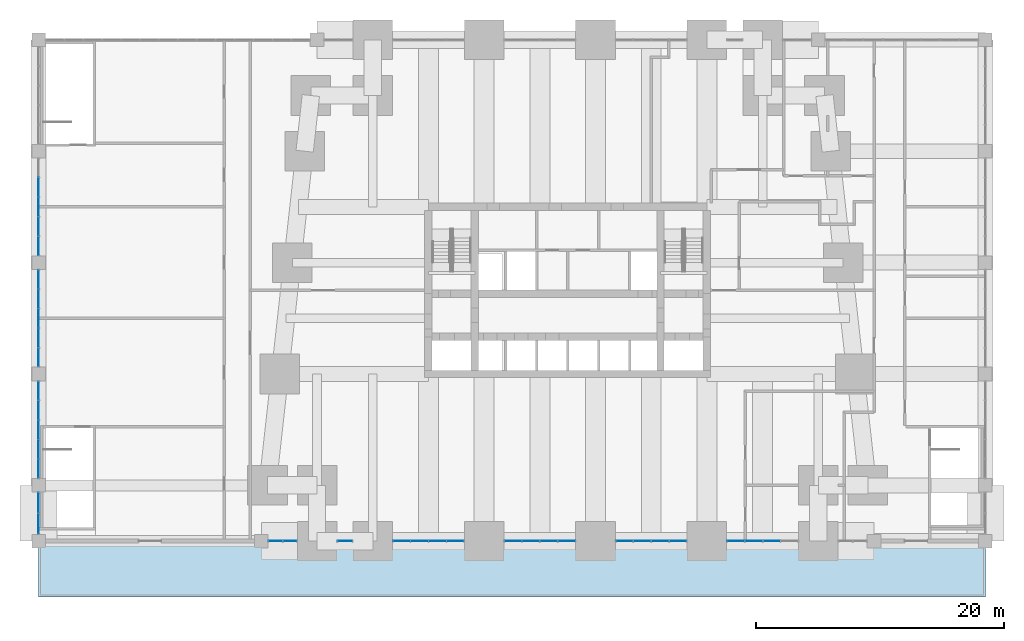
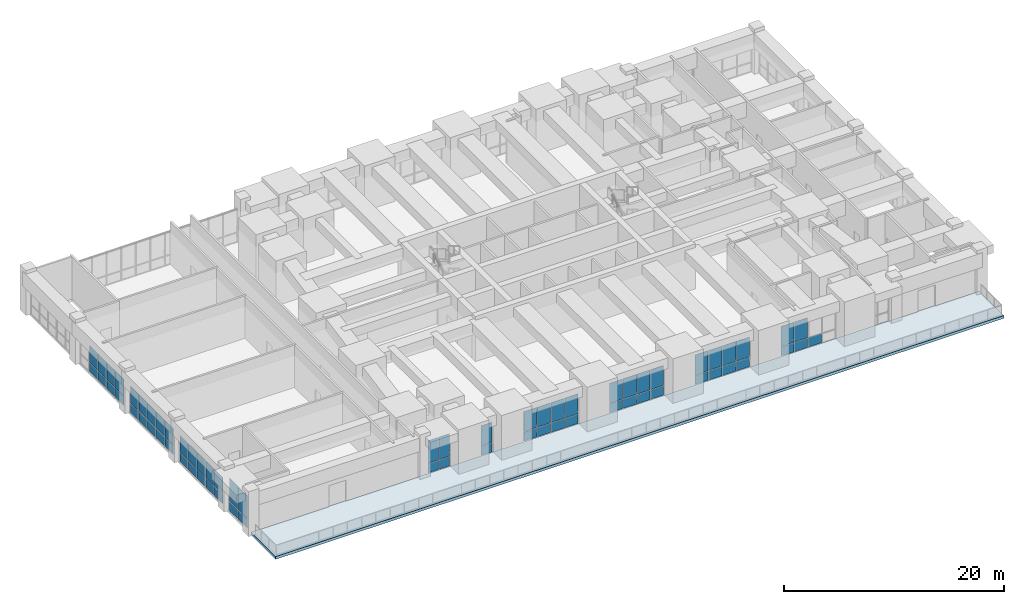
# One storey, part 14 of 22: 67 plates, 1 slab, 10 elements without a shape of their own.
"""IFC4 building model written with IfcOpenShell, lengths in metres."""

from ifc_helpers import new_model, si_unit, direction, frame, origin, origin_2d, place, context, subcontext, project, spatial, polyline, rectangle, outline, extrude, material, layer, layer_set, type_object, element, aggregate, save


model = new_model("IFC4")

# Units and contexts
model_context = context("Model", 3, precision=1e-05, world=origin(), true_north=direction((0.0, 1.0)))
body_context = subcontext(model_context, "Body", "Model", "MODEL_VIEW")
ifc_project = project(units=[si_unit("LENGTHUNIT", "METRE"), si_unit("AREAUNIT", "SQUARE_METRE"), si_unit("VOLUMEUNIT", "CUBIC_METRE"), si_unit("PLANEANGLEUNIT", "RADIAN"), si_unit("MASSUNIT", "GRAM", prefix="KILO")], contexts=[model_context])

# Site, building, storey
site_placement = place(None, origin())
site = spatial("IfcSite", under=ifc_project, at=site_placement, CompositionType="ELEMENT")
building_placement = place(site_placement, origin())
building = spatial("IfcBuilding", under=site, at=building_placement, Name="Kilele Tower Hotel", CompositionType="ELEMENT")
storey_placement = place(building_placement, frame((0.0, 0.0, 19.0)))
storey = spatial("IfcBuildingStorey", under=building, at=storey_placement, Name="L03", CompositionType="ELEMENT", Elevation=19.0)

# Curtain wall, plates
ifc_material_1 = material(Name="Aluminium curtain wall, clear double glazing", Category="aluminium")
curtain_wall_type_1 = type_object("IfcCurtainWallType", Name="Podium curtain wall CW-1", PredefinedType="NOTDEFINED", material=ifc_material_1)
curtain_wall_1_placement = place(storey_placement, origin())
curtain_wall_1 = element("IfcCurtainWall", 1, at=curtain_wall_1_placement, inside=storey, type_object=curtain_wall_type_1, Name="Podium curtain wall CW-1 L03", PredefinedType="NOTDEFINED")
ifc_material_2 = material(Name="Clear double glazing", Category="glass")
ifc_layer_1 = layer(ifc_material_2, 0.028076171875)
ifc_layer_set_1 = layer_set([ifc_layer_1], Name="Clear double glazing")
plate_type_1 = type_object("IfcPlateType", Name="Glazed panel 28 CW-1", PredefinedType="CURTAIN_PANEL", material=ifc_layer_set_1)
plate_1_placement = place(storey_placement, frame((1.152587890625, 0.0, 0.06005859375), z_axis=(0.0, 0.0, 1.0), x_axis=(1.0, 0.0, 0.0)))
plate_1 = element("IfcPlate", 2, at=plate_1_placement, type_object=plate_type_1, Name="CW-1 panel 1.1", PredefinedType="CURTAIN_PANEL", context=body_context, shape_type="SweptSolid", body=[
    extrude(rectangle(XDim=1.0849609375, YDim=0.028076171875, at=origin_2d()), origin(), (0.0, 0.0, 1.0), 1.010009765625),
])
plate_2_placement = place(storey_placement, frame((1.152587890625, 0.0, 1.1298828125), z_axis=(0.0, 0.0, 1.0), x_axis=(1.0, 0.0, 0.0)))
plate_2 = element("IfcPlate", 3, at=plate_2_placement, type_object=plate_type_1, Name="CW-1 panel 1.2", PredefinedType="CURTAIN_PANEL", context=body_context, shape_type="SweptSolid", body=[
    extrude(rectangle(XDim=1.0849609375, YDim=0.028076171875, at=origin_2d()), origin(), (0.0, 0.0, 1.0), 2.510009765625),
])
plate_3_placement = place(storey_placement, frame((2.297607421875, 0.0, 0.06005859375), z_axis=(0.0, 0.0, 1.0), x_axis=(1.0, 0.0, 0.0)))
plate_3 = element("IfcPlate", 4, at=plate_3_placement, type_object=plate_type_1, Name="CW-1 panel 2.1", PredefinedType="CURTAIN_PANEL", context=body_context, shape_type="SweptSolid", body=[
    extrude(rectangle(XDim=1.0849609375, YDim=0.028076171875, at=origin_2d()), origin(), (0.0, 0.0, 1.0), 1.010009765625),
])
plate_4_placement = place(storey_placement, frame((2.297607421875, 0.0, 1.1298828125), z_axis=(0.0, 0.0, 1.0), x_axis=(1.0, 0.0, 0.0)))
plate_4 = element("IfcPlate", 5, at=plate_4_placement, type_object=plate_type_1, Name="CW-1 panel 2.2", PredefinedType="CURTAIN_PANEL", context=body_context, shape_type="SweptSolid", body=[
    extrude(rectangle(XDim=1.0849609375, YDim=0.028076171875, at=origin_2d()), origin(), (0.0, 0.0, 1.0), 2.510009765625),
])
aggregate(curtain_wall_1, [plate_1, plate_2, plate_3, plate_4])

curtain_wall_2_placement = place(storey_placement, origin())
curtain_wall_2 = element("IfcCurtainWall", 6, at=curtain_wall_2_placement, inside=storey, type_object=curtain_wall_type_1, Name="Podium curtain wall CW-1 L03", PredefinedType="NOTDEFINED")
plate_5_placement = place(storey_placement, frame((6.75, 0.0, 0.06005859375), z_axis=(0.0, 0.0, 1.0), x_axis=(1.0, 0.0, 0.0)))
plate_5 = element("IfcPlate", 7, at=plate_5_placement, type_object=plate_type_1, Name="CW-1 panel 1.1", PredefinedType="CURTAIN_PANEL", context=body_context, shape_type="SweptSolid", body=[
    extrude(rectangle(XDim=1.179931640625, YDim=0.028076171875, at=origin_2d()), origin(), (0.0, 0.0, 1.0), 1.010009765625),
])
plate_6_placement = place(storey_placement, frame((6.75, 0.0, 1.130126953125), z_axis=(0.0, 0.0, 1.0), x_axis=(1.0, 0.0, 0.0)))
plate_6 = element("IfcPlate", 8, at=plate_6_placement, type_object=plate_type_1, Name="CW-1 panel 1.2", PredefinedType="CURTAIN_PANEL", context=body_context, shape_type="SweptSolid", body=[
    extrude(rectangle(XDim=1.179931640625, YDim=0.028076171875, at=origin_2d()), origin(), (0.0, 0.0, 1.0), 2.2099609375),
])
aggregate(curtain_wall_2, [plate_5, plate_6])

curtain_wall_3_placement = place(storey_placement, origin())
curtain_wall_3 = element("IfcCurtainWall", 9, at=curtain_wall_3_placement, inside=storey, type_object=curtain_wall_type_1, Name="Podium curtain wall CW-1 L03", PredefinedType="NOTDEFINED")
plate_7_placement = place(storey_placement, frame((11.340087890625, 0.0, 0.06005859375), z_axis=(0.0, 0.0, 1.0), x_axis=(1.0, 0.0, 0.0)))
plate_7 = element("IfcPlate", 10, at=plate_7_placement, type_object=plate_type_1, Name="CW-1 panel 1.1", PredefinedType="CURTAIN_PANEL", context=body_context, shape_type="SweptSolid", body=[
    extrude(rectangle(XDim=1.360107421875, YDim=0.028076171875, at=origin_2d()), origin(), (0.0, 0.0, 1.0), 1.010009765625),
])
plate_8_placement = place(storey_placement, frame((11.340087890625, 0.0, 1.130126953125), z_axis=(0.0, 0.0, 1.0), x_axis=(1.0, 0.0, 0.0)))
plate_8 = element("IfcPlate", 11, at=plate_8_placement, type_object=plate_type_1, Name="CW-1 panel 1.2", PredefinedType="CURTAIN_PANEL", context=body_context, shape_type="SweptSolid", body=[
    extrude(rectangle(XDim=1.360107421875, YDim=0.028076171875, at=origin_2d()), origin(), (0.0, 0.0, 1.0), 2.2099609375),
])
plate_9_placement = place(storey_placement, frame((12.77490234375, 0.0, 0.06005859375), z_axis=(0.0, 0.0, 1.0), x_axis=(1.0, 0.0, 0.0)))
plate_9 = element("IfcPlate", 12, at=plate_9_placement, type_object=plate_type_1, Name="CW-1 panel 2.1", PredefinedType="CURTAIN_PANEL", context=body_context, shape_type="SweptSolid", body=[
    extrude(rectangle(XDim=1.389892578125, YDim=0.028076171875, at=origin_2d()), origin(), (0.0, 0.0, 1.0), 1.010009765625),
])
plate_10_placement = place(storey_placement, frame((12.77490234375, 0.0, 1.130126953125), z_axis=(0.0, 0.0, 1.0), x_axis=(1.0, 0.0, 0.0)))
plate_10 = element("IfcPlate", 13, at=plate_10_placement, type_object=plate_type_1, Name="CW-1 panel 2.2", PredefinedType="CURTAIN_PANEL", context=body_context, shape_type="SweptSolid", body=[
    extrude(rectangle(XDim=1.389892578125, YDim=0.028076171875, at=origin_2d()), origin(), (0.0, 0.0, 1.0), 2.2099609375),
])
plate_11_placement = place(storey_placement, frame((14.22509765625, 0.0, 0.06005859375), z_axis=(0.0, 0.0, 1.0), x_axis=(1.0, 0.0, 0.0)))
plate_11 = element("IfcPlate", 14, at=plate_11_placement, type_object=plate_type_1, Name="CW-1 panel 3.1", PredefinedType="CURTAIN_PANEL", context=body_context, shape_type="SweptSolid", body=[
    extrude(rectangle(XDim=1.389892578125, YDim=0.028076171875, at=origin_2d()), origin(), (0.0, 0.0, 1.0), 1.010009765625),
])
plate_12_placement = place(storey_placement, frame((14.22509765625, 0.0, 1.130126953125), z_axis=(0.0, 0.0, 1.0), x_axis=(1.0, 0.0, 0.0)))
plate_12 = element("IfcPlate", 15, at=plate_12_placement, type_object=plate_type_1, Name="CW-1 panel 3.2", PredefinedType="CURTAIN_PANEL", context=body_context, shape_type="SweptSolid", body=[
    extrude(rectangle(XDim=1.389892578125, YDim=0.028076171875, at=origin_2d()), origin(), (0.0, 0.0, 1.0), 2.2099609375),
])
plate_13_placement = place(storey_placement, frame((15.659912109375, 0.0, 0.06005859375), z_axis=(0.0, 0.0, 1.0), x_axis=(1.0, 0.0, 0.0)))
plate_13 = element("IfcPlate", 16, at=plate_13_placement, type_object=plate_type_1, Name="CW-1 panel 4.1", PredefinedType="CURTAIN_PANEL", context=body_context, shape_type="SweptSolid", body=[
    extrude(rectangle(XDim=1.360107421875, YDim=0.028076171875, at=origin_2d()), origin(), (0.0, 0.0, 1.0), 1.010009765625),
])
plate_14_placement = place(storey_placement, frame((15.659912109375, 0.0, 1.130126953125), z_axis=(0.0, 0.0, 1.0), x_axis=(1.0, 0.0, 0.0)))
plate_14 = element("IfcPlate", 17, at=plate_14_placement, type_object=plate_type_1, Name="CW-1 panel 4.2", PredefinedType="CURTAIN_PANEL", context=body_context, shape_type="SweptSolid", body=[
    extrude(rectangle(XDim=1.360107421875, YDim=0.028076171875, at=origin_2d()), origin(), (0.0, 0.0, 1.0), 2.2099609375),
])
aggregate(curtain_wall_3, [plate_7, plate_8, plate_9, plate_10, plate_11, plate_12, plate_13, plate_14])

curtain_wall_4_placement = place(storey_placement, origin())
curtain_wall_4 = element("IfcCurtainWall", 18, at=curtain_wall_4_placement, inside=storey, type_object=curtain_wall_type_1, Name="Podium curtain wall CW-1 L03", PredefinedType="NOTDEFINED")
plate_15_placement = place(storey_placement, frame((20.340087890625, 0.0, 0.06005859375), z_axis=(0.0, 0.0, 1.0), x_axis=(1.0, 0.0, 0.0)))
plate_15 = element("IfcPlate", 19, at=plate_15_placement, type_object=plate_type_1, Name="CW-1 panel 1.1", PredefinedType="CURTAIN_PANEL", context=body_context, shape_type="SweptSolid", body=[
    extrude(rectangle(XDim=1.360107421875, YDim=0.028076171875, at=origin_2d()), origin(), (0.0, 0.0, 1.0), 1.010009765625),
])
plate_16_placement = place(storey_placement, frame((20.340087890625, 0.0, 1.130126953125), z_axis=(0.0, 0.0, 1.0), x_axis=(1.0, 0.0, 0.0)))
plate_16 = element("IfcPlate", 20, at=plate_16_placement, type_object=plate_type_1, Name="CW-1 panel 1.2", PredefinedType="CURTAIN_PANEL", context=body_context, shape_type="SweptSolid", body=[
    extrude(rectangle(XDim=1.360107421875, YDim=0.028076171875, at=origin_2d()), origin(), (0.0, 0.0, 1.0), 2.2099609375),
])
plate_17_placement = place(storey_placement, frame((21.77490234375, 0.0, 0.06005859375), z_axis=(0.0, 0.0, 1.0), x_axis=(1.0, 0.0, 0.0)))
plate_17 = element("IfcPlate", 21, at=plate_17_placement, type_object=plate_type_1, Name="CW-1 panel 2.1", PredefinedType="CURTAIN_PANEL", context=body_context, shape_type="SweptSolid", body=[
    extrude(rectangle(XDim=1.389892578125, YDim=0.028076171875, at=origin_2d()), origin(), (0.0, 0.0, 1.0), 1.010009765625),
])
plate_18_placement = place(storey_placement, frame((21.77490234375, 0.0, 1.130126953125), z_axis=(0.0, 0.0, 1.0), x_axis=(1.0, 0.0, 0.0)))
plate_18 = element("IfcPlate", 22, at=plate_18_placement, type_object=plate_type_1, Name="CW-1 panel 2.2", PredefinedType="CURTAIN_PANEL", context=body_context, shape_type="SweptSolid", body=[
    extrude(rectangle(XDim=1.389892578125, YDim=0.028076171875, at=origin_2d()), origin(), (0.0, 0.0, 1.0), 2.2099609375),
])
plate_19_placement = place(storey_placement, frame((23.22509765625, 0.0, 0.06005859375), z_axis=(0.0, 0.0, 1.0), x_axis=(1.0, 0.0, 0.0)))
plate_19 = element("IfcPlate", 23, at=plate_19_placement, type_object=plate_type_1, Name="CW-1 panel 3.1", PredefinedType="CURTAIN_PANEL", context=body_context, shape_type="SweptSolid", body=[
    extrude(rectangle(XDim=1.389892578125, YDim=0.028076171875, at=origin_2d()), origin(), (0.0, 0.0, 1.0), 1.010009765625),
])
plate_20_placement = place(storey_placement, frame((23.22509765625, 0.0, 1.130126953125), z_axis=(0.0, 0.0, 1.0), x_axis=(1.0, 0.0, 0.0)))
plate_20 = element("IfcPlate", 24, at=plate_20_placement, type_object=plate_type_1, Name="CW-1 panel 3.2", PredefinedType="CURTAIN_PANEL", context=body_context, shape_type="SweptSolid", body=[
    extrude(rectangle(XDim=1.389892578125, YDim=0.028076171875, at=origin_2d()), origin(), (0.0, 0.0, 1.0), 2.2099609375),
])
plate_21_placement = place(storey_placement, frame((24.659912109375, 0.0, 0.06005859375), z_axis=(0.0, 0.0, 1.0), x_axis=(1.0, 0.0, 0.0)))
plate_21 = element("IfcPlate", 25, at=plate_21_placement, type_object=plate_type_1, Name="CW-1 panel 4.1", PredefinedType="CURTAIN_PANEL", context=body_context, shape_type="SweptSolid", body=[
    extrude(rectangle(XDim=1.360107421875, YDim=0.028076171875, at=origin_2d()), origin(), (0.0, 0.0, 1.0), 1.010009765625),
])
plate_22_placement = place(storey_placement, frame((24.659912109375, 0.0, 1.130126953125), z_axis=(0.0, 0.0, 1.0), x_axis=(1.0, 0.0, 0.0)))
plate_22 = element("IfcPlate", 26, at=plate_22_placement, type_object=plate_type_1, Name="CW-1 panel 4.2", PredefinedType="CURTAIN_PANEL", context=body_context, shape_type="SweptSolid", body=[
    extrude(rectangle(XDim=1.360107421875, YDim=0.028076171875, at=origin_2d()), origin(), (0.0, 0.0, 1.0), 2.2099609375),
])
aggregate(curtain_wall_4, [plate_15, plate_16, plate_17, plate_18, plate_19, plate_20, plate_21, plate_22])

curtain_wall_5_placement = place(storey_placement, origin())
curtain_wall_5 = element("IfcCurtainWall", 27, at=curtain_wall_5_placement, inside=storey, type_object=curtain_wall_type_1, Name="Podium curtain wall CW-1 L03", PredefinedType="NOTDEFINED")
plate_23_placement = place(storey_placement, frame((29.340087890625, 0.0, 0.06005859375), z_axis=(0.0, 0.0, 1.0), x_axis=(1.0, 0.0, 0.0)))
plate_23 = element("IfcPlate", 28, at=plate_23_placement, type_object=plate_type_1, Name="CW-1 panel 1.1", PredefinedType="CURTAIN_PANEL", context=body_context, shape_type="SweptSolid", body=[
    extrude(rectangle(XDim=1.360107421875, YDim=0.028076171875, at=origin_2d()), origin(), (0.0, 0.0, 1.0), 1.010009765625),
])
plate_24_placement = place(storey_placement, frame((29.340087890625, 0.0, 1.130126953125), z_axis=(0.0, 0.0, 1.0), x_axis=(1.0, 0.0, 0.0)))
plate_24 = element("IfcPlate", 29, at=plate_24_placement, type_object=plate_type_1, Name="CW-1 panel 1.2", PredefinedType="CURTAIN_PANEL", context=body_context, shape_type="SweptSolid", body=[
    extrude(rectangle(XDim=1.360107421875, YDim=0.028076171875, at=origin_2d()), origin(), (0.0, 0.0, 1.0), 2.2099609375),
])
plate_25_placement = place(storey_placement, frame((30.77490234375, 0.0, 0.06005859375), z_axis=(0.0, 0.0, 1.0), x_axis=(1.0, 0.0, 0.0)))
plate_25 = element("IfcPlate", 30, at=plate_25_placement, type_object=plate_type_1, Name="CW-1 panel 2.1", PredefinedType="CURTAIN_PANEL", context=body_context, shape_type="SweptSolid", body=[
    extrude(rectangle(XDim=1.389892578125, YDim=0.028076171875, at=origin_2d()), origin(), (0.0, 0.0, 1.0), 1.010009765625),
])
plate_26_placement = place(storey_placement, frame((30.77490234375, 0.0, 1.130126953125), z_axis=(0.0, 0.0, 1.0), x_axis=(1.0, 0.0, 0.0)))
plate_26 = element("IfcPlate", 31, at=plate_26_placement, type_object=plate_type_1, Name="CW-1 panel 2.2", PredefinedType="CURTAIN_PANEL", context=body_context, shape_type="SweptSolid", body=[
    extrude(rectangle(XDim=1.389892578125, YDim=0.028076171875, at=origin_2d()), origin(), (0.0, 0.0, 1.0), 2.2099609375),
])
plate_27_placement = place(storey_placement, frame((32.22509765625, 0.0, 0.06005859375), z_axis=(0.0, 0.0, 1.0), x_axis=(1.0, 0.0, 0.0)))
plate_27 = element("IfcPlate", 32, at=plate_27_placement, type_object=plate_type_1, Name="CW-1 panel 3.1", PredefinedType="CURTAIN_PANEL", context=body_context, shape_type="SweptSolid", body=[
    extrude(rectangle(XDim=1.389892578125, YDim=0.028076171875, at=origin_2d()), origin(), (0.0, 0.0, 1.0), 1.010009765625),
])
plate_28_placement = place(storey_placement, frame((32.22509765625, 0.0, 1.130126953125), z_axis=(0.0, 0.0, 1.0), x_axis=(1.0, 0.0, 0.0)))
plate_28 = element("IfcPlate", 33, at=plate_28_placement, type_object=plate_type_1, Name="CW-1 panel 3.2", PredefinedType="CURTAIN_PANEL", context=body_context, shape_type="SweptSolid", body=[
    extrude(rectangle(XDim=1.389892578125, YDim=0.028076171875, at=origin_2d()), origin(), (0.0, 0.0, 1.0), 2.2099609375),
])
plate_29_placement = place(storey_placement, frame((33.659912109375, 0.0, 0.06005859375), z_axis=(0.0, 0.0, 1.0), x_axis=(1.0, 0.0, 0.0)))
plate_29 = element("IfcPlate", 34, at=plate_29_placement, type_object=plate_type_1, Name="CW-1 panel 4.1", PredefinedType="CURTAIN_PANEL", context=body_context, shape_type="SweptSolid", body=[
    extrude(rectangle(XDim=1.360107421875, YDim=0.028076171875, at=origin_2d()), origin(), (0.0, 0.0, 1.0), 1.010009765625),
])
plate_30_placement = place(storey_placement, frame((33.659912109375, 0.0, 1.130126953125), z_axis=(0.0, 0.0, 1.0), x_axis=(1.0, 0.0, 0.0)))
plate_30 = element("IfcPlate", 35, at=plate_30_placement, type_object=plate_type_1, Name="CW-1 panel 4.2", PredefinedType="CURTAIN_PANEL", context=body_context, shape_type="SweptSolid", body=[
    extrude(rectangle(XDim=1.360107421875, YDim=0.028076171875, at=origin_2d()), origin(), (0.0, 0.0, 1.0), 2.2099609375),
])
aggregate(curtain_wall_5, [plate_23, plate_24, plate_25, plate_26, plate_27, plate_28, plate_29, plate_30])

curtain_wall_6_placement = place(storey_placement, origin())
curtain_wall_6 = element("IfcCurtainWall", 36, at=curtain_wall_6_placement, inside=storey, type_object=curtain_wall_type_1, Name="Podium curtain wall CW-1 L03", PredefinedType="NOTDEFINED")
plate_31_placement = place(storey_placement, frame((38.340087890625, 0.0, 0.06005859375), z_axis=(0.0, 0.0, 1.0), x_axis=(1.0, 0.0, 0.0)))
plate_31 = element("IfcPlate", 37, at=plate_31_placement, type_object=plate_type_1, Name="CW-1 panel 1.1", PredefinedType="CURTAIN_PANEL", context=body_context, shape_type="SweptSolid", body=[
    extrude(rectangle(XDim=1.360107421875, YDim=0.028076171875, at=origin_2d()), origin(), (0.0, 0.0, 1.0), 1.010009765625),
])
plate_32_placement = place(storey_placement, frame((38.340087890625, 0.0, 1.130126953125), z_axis=(0.0, 0.0, 1.0), x_axis=(1.0, 0.0, 0.0)))
plate_32 = element("IfcPlate", 38, at=plate_32_placement, type_object=plate_type_1, Name="CW-1 panel 1.2", PredefinedType="CURTAIN_PANEL", context=body_context, shape_type="SweptSolid", body=[
    extrude(rectangle(XDim=1.360107421875, YDim=0.028076171875, at=origin_2d()), origin(), (0.0, 0.0, 1.0), 2.2099609375),
])
plate_33_placement = place(storey_placement, frame((39.77490234375, 0.0, 0.06005859375), z_axis=(0.0, 0.0, 1.0), x_axis=(1.0, 0.0, 0.0)))
plate_33 = element("IfcPlate", 39, at=plate_33_placement, type_object=plate_type_1, Name="CW-1 panel 2.1", PredefinedType="CURTAIN_PANEL", context=body_context, shape_type="SweptSolid", body=[
    extrude(rectangle(XDim=1.389892578125, YDim=0.028076171875, at=origin_2d()), origin(), (0.0, 0.0, 1.0), 1.010009765625),
])
plate_34_placement = place(storey_placement, frame((39.77490234375, 0.0, 1.130126953125), z_axis=(0.0, 0.0, 1.0), x_axis=(1.0, 0.0, 0.0)))
plate_34 = element("IfcPlate", 40, at=plate_34_placement, type_object=plate_type_1, Name="CW-1 panel 2.2", PredefinedType="CURTAIN_PANEL", context=body_context, shape_type="SweptSolid", body=[
    extrude(rectangle(XDim=1.389892578125, YDim=0.028076171875, at=origin_2d()), origin(), (0.0, 0.0, 1.0), 2.2099609375),
])
plate_35_placement = place(storey_placement, frame((41.22509765625, 0.0, 0.06005859375), z_axis=(0.0, 0.0, 1.0), x_axis=(1.0, 0.0, 0.0)))
plate_35 = element("IfcPlate", 41, at=plate_35_placement, type_object=plate_type_1, Name="CW-1 panel 3.1", PredefinedType="CURTAIN_PANEL", context=body_context, shape_type="SweptSolid", body=[
    extrude(rectangle(XDim=1.389892578125, YDim=0.028076171875, at=origin_2d()), origin(), (0.0, 0.0, 1.0), 1.010009765625),
])
aggregate(curtain_wall_6, [plate_31, plate_32, plate_33, plate_34, plate_35])

ifc_material_3 = material(Name="Aluminium curtain wall, clear double glazing", Category="aluminium")
curtain_wall_type_2 = type_object("IfcCurtainWallType", Name="Podium side curtain wall CW-2", PredefinedType="NOTDEFINED", material=ifc_material_3)
curtain_wall_7_placement = place(storey_placement, origin())
curtain_wall_7 = element("IfcCurtainWall", 42, at=curtain_wall_7_placement, inside=storey, type_object=curtain_wall_type_2, Name="Podium side curtain wall CW-2 L03", PredefinedType="NOTDEFINED")
ifc_material_4 = material(Name="Clear double glazing", Category="glass")
ifc_layer_2 = layer(ifc_material_4, 0.028076171875)
ifc_layer_set_2 = layer_set([ifc_layer_2], Name="Clear double glazing")
plate_type_2 = type_object("IfcPlateType", Name="Glazed panel 28 CW-2", PredefinedType="CURTAIN_PANEL", material=ifc_layer_set_2)
plate_36_placement = place(storey_placement, frame((-18.0, 28.580078125, 0.06005859375), z_axis=(0.0, 0.0, 1.0), x_axis=(0.0, -1.0, 0.0)))
plate_36 = element("IfcPlate", 43, at=plate_36_placement, type_object=plate_type_2, Name="CW-2 panel 2.1", PredefinedType="CURTAIN_PANEL", context=body_context, shape_type="SweptSolid", body=[
    extrude(rectangle(XDim=1.52001953125, YDim=0.028076171875, at=origin_2d()), origin(), (0.0, 0.0, 1.0), 1.010009765625),
])
plate_37_placement = place(storey_placement, frame((-18.0, 28.580078125, 1.1298828125), z_axis=(0.0, 0.0, 1.0), x_axis=(0.0, -1.0, 0.0)))
plate_37 = element("IfcPlate", 44, at=plate_37_placement, type_object=plate_type_2, Name="CW-2 panel 2.2", PredefinedType="CURTAIN_PANEL", context=body_context, shape_type="SweptSolid", body=[
    extrude(rectangle(XDim=1.52001953125, YDim=0.028076171875, at=origin_2d()), origin(), (0.0, 0.0, 1.0), 1.81005859375),
])
plate_38_placement = place(storey_placement, frame((-18.0, 27.0, 0.06005859375), z_axis=(0.0, 0.0, 1.0), x_axis=(0.0, -1.0, 0.0)))
plate_38 = element("IfcPlate", 45, at=plate_38_placement, type_object=plate_type_2, Name="CW-2 panel 3.1", PredefinedType="CURTAIN_PANEL", context=body_context, shape_type="SweptSolid", body=[
    extrude(rectangle(XDim=1.52001953125, YDim=0.028076171875, at=origin_2d()), origin(), (0.0, 0.0, 1.0), 1.010009765625),
])
plate_39_placement = place(storey_placement, frame((-18.0, 27.0, 1.1298828125), z_axis=(0.0, 0.0, 1.0), x_axis=(0.0, -1.0, 0.0)))
plate_39 = element("IfcPlate", 46, at=plate_39_placement, type_object=plate_type_2, Name="CW-2 panel 3.2", PredefinedType="CURTAIN_PANEL", context=body_context, shape_type="SweptSolid", body=[
    extrude(rectangle(XDim=1.52001953125, YDim=0.028076171875, at=origin_2d()), origin(), (0.0, 0.0, 1.0), 1.81005859375),
])
plate_40_placement = place(storey_placement, frame((-18.0, 25.419921875, 0.06005859375), z_axis=(0.0, 0.0, 1.0), x_axis=(0.0, -1.0, 0.0)))
plate_40 = element("IfcPlate", 47, at=plate_40_placement, type_object=plate_type_2, Name="CW-2 panel 4.1", PredefinedType="CURTAIN_PANEL", context=body_context, shape_type="SweptSolid", body=[
    extrude(rectangle(XDim=1.52001953125, YDim=0.028076171875, at=origin_2d()), origin(), (0.0, 0.0, 1.0), 1.010009765625),
])
plate_41_placement = place(storey_placement, frame((-18.0, 25.419921875, 1.1298828125), z_axis=(0.0, 0.0, 1.0), x_axis=(0.0, -1.0, 0.0)))
plate_41 = element("IfcPlate", 48, at=plate_41_placement, type_object=plate_type_2, Name="CW-2 panel 4.2", PredefinedType="CURTAIN_PANEL", context=body_context, shape_type="SweptSolid", body=[
    extrude(rectangle(XDim=1.52001953125, YDim=0.028076171875, at=origin_2d()), origin(), (0.0, 0.0, 1.0), 1.81005859375),
])
plate_42_placement = place(storey_placement, frame((-18.0, 23.85498046875, 0.06005859375), z_axis=(0.0, 0.0, 1.0), x_axis=(0.0, -1.0, 0.0)))
plate_42 = element("IfcPlate", 49, at=plate_42_placement, type_object=plate_type_2, Name="CW-2 panel 5.1", PredefinedType="CURTAIN_PANEL", context=body_context, shape_type="SweptSolid", body=[
    extrude(rectangle(XDim=1.489990234375, YDim=0.028076171875, at=origin_2d()), origin(), (0.0, 0.0, 1.0), 1.010009765625),
])
plate_43_placement = place(storey_placement, frame((-18.0, 23.85498046875, 1.1298828125), z_axis=(0.0, 0.0, 1.0), x_axis=(0.0, -1.0, 0.0)))
plate_43 = element("IfcPlate", 50, at=plate_43_placement, type_object=plate_type_2, Name="CW-2 panel 5.2", PredefinedType="CURTAIN_PANEL", context=body_context, shape_type="SweptSolid", body=[
    extrude(rectangle(XDim=1.489990234375, YDim=0.028076171875, at=origin_2d()), origin(), (0.0, 0.0, 1.0), 1.81005859375),
])
aggregate(curtain_wall_7, [plate_36, plate_37, plate_38, plate_39, plate_40, plate_41, plate_42, plate_43])

curtain_wall_8_placement = place(storey_placement, origin())
curtain_wall_8 = element("IfcCurtainWall", 51, at=curtain_wall_8_placement, inside=storey, type_object=curtain_wall_type_2, Name="Podium side curtain wall CW-2 L03", PredefinedType="NOTDEFINED")
plate_44_placement = place(storey_placement, frame((-18.0, 21.14501953125, 0.06005859375), z_axis=(0.0, 0.0, 1.0), x_axis=(0.0, -1.0, 0.0)))
plate_44 = element("IfcPlate", 52, at=plate_44_placement, type_object=plate_type_2, Name="CW-2 panel 1.1", PredefinedType="CURTAIN_PANEL", context=body_context, shape_type="SweptSolid", body=[
    extrude(rectangle(XDim=1.489990234375, YDim=0.028076171875, at=origin_2d()), origin(), (0.0, 0.0, 1.0), 1.010009765625),
])
plate_45_placement = place(storey_placement, frame((-18.0, 21.14501953125, 1.1298828125), z_axis=(0.0, 0.0, 1.0), x_axis=(0.0, -1.0, 0.0)))
plate_45 = element("IfcPlate", 53, at=plate_45_placement, type_object=plate_type_2, Name="CW-2 panel 1.2", PredefinedType="CURTAIN_PANEL", context=body_context, shape_type="SweptSolid", body=[
    extrude(rectangle(XDim=1.489990234375, YDim=0.028076171875, at=origin_2d()), origin(), (0.0, 0.0, 1.0), 1.81005859375),
])
plate_46_placement = place(storey_placement, frame((-18.0, 19.580078125, 0.06005859375), z_axis=(0.0, 0.0, 1.0), x_axis=(0.0, -1.0, 0.0)))
plate_46 = element("IfcPlate", 54, at=plate_46_placement, type_object=plate_type_2, Name="CW-2 panel 2.1", PredefinedType="CURTAIN_PANEL", context=body_context, shape_type="SweptSolid", body=[
    extrude(rectangle(XDim=1.52001953125, YDim=0.028076171875, at=origin_2d()), origin(), (0.0, 0.0, 1.0), 1.010009765625),
])
plate_47_placement = place(storey_placement, frame((-18.0, 19.580078125, 1.1298828125), z_axis=(0.0, 0.0, 1.0), x_axis=(0.0, -1.0, 0.0)))
plate_47 = element("IfcPlate", 55, at=plate_47_placement, type_object=plate_type_2, Name="CW-2 panel 2.2", PredefinedType="CURTAIN_PANEL", context=body_context, shape_type="SweptSolid", body=[
    extrude(rectangle(XDim=1.52001953125, YDim=0.028076171875, at=origin_2d()), origin(), (0.0, 0.0, 1.0), 1.81005859375),
])
plate_48_placement = place(storey_placement, frame((-18.0, 18.0, 0.06005859375), z_axis=(0.0, 0.0, 1.0), x_axis=(0.0, -1.0, 0.0)))
plate_48 = element("IfcPlate", 56, at=plate_48_placement, type_object=plate_type_2, Name="CW-2 panel 3.1", PredefinedType="CURTAIN_PANEL", context=body_context, shape_type="SweptSolid", body=[
    extrude(rectangle(XDim=1.52001953125, YDim=0.028076171875, at=origin_2d()), origin(), (0.0, 0.0, 1.0), 1.010009765625),
])
plate_49_placement = place(storey_placement, frame((-18.0, 18.0, 1.1298828125), z_axis=(0.0, 0.0, 1.0), x_axis=(0.0, -1.0, 0.0)))
plate_49 = element("IfcPlate", 57, at=plate_49_placement, type_object=plate_type_2, Name="CW-2 panel 3.2", PredefinedType="CURTAIN_PANEL", context=body_context, shape_type="SweptSolid", body=[
    extrude(rectangle(XDim=1.52001953125, YDim=0.028076171875, at=origin_2d()), origin(), (0.0, 0.0, 1.0), 1.81005859375),
])
plate_50_placement = place(storey_placement, frame((-18.0, 16.419921875, 0.06005859375), z_axis=(0.0, 0.0, 1.0), x_axis=(0.0, -1.0, 0.0)))
plate_50 = element("IfcPlate", 58, at=plate_50_placement, type_object=plate_type_2, Name="CW-2 panel 4.1", PredefinedType="CURTAIN_PANEL", context=body_context, shape_type="SweptSolid", body=[
    extrude(rectangle(XDim=1.52001953125, YDim=0.028076171875, at=origin_2d()), origin(), (0.0, 0.0, 1.0), 1.010009765625),
])
plate_51_placement = place(storey_placement, frame((-18.0, 16.419921875, 1.1298828125), z_axis=(0.0, 0.0, 1.0), x_axis=(0.0, -1.0, 0.0)))
plate_51 = element("IfcPlate", 59, at=plate_51_placement, type_object=plate_type_2, Name="CW-2 panel 4.2", PredefinedType="CURTAIN_PANEL", context=body_context, shape_type="SweptSolid", body=[
    extrude(rectangle(XDim=1.52001953125, YDim=0.028076171875, at=origin_2d()), origin(), (0.0, 0.0, 1.0), 1.81005859375),
])
plate_52_placement = place(storey_placement, frame((-18.0, 14.85498046875, 0.06005859375), z_axis=(0.0, 0.0, 1.0), x_axis=(0.0, -1.0, 0.0)))
plate_52 = element("IfcPlate", 60, at=plate_52_placement, type_object=plate_type_2, Name="CW-2 panel 5.1", PredefinedType="CURTAIN_PANEL", context=body_context, shape_type="SweptSolid", body=[
    extrude(rectangle(XDim=1.489990234375, YDim=0.028076171875, at=origin_2d()), origin(), (0.0, 0.0, 1.0), 1.010009765625),
])
plate_53_placement = place(storey_placement, frame((-18.0, 14.85498046875, 1.1298828125), z_axis=(0.0, 0.0, 1.0), x_axis=(0.0, -1.0, 0.0)))
plate_53 = element("IfcPlate", 61, at=plate_53_placement, type_object=plate_type_2, Name="CW-2 panel 5.2", PredefinedType="CURTAIN_PANEL", context=body_context, shape_type="SweptSolid", body=[
    extrude(rectangle(XDim=1.489990234375, YDim=0.028076171875, at=origin_2d()), origin(), (0.0, 0.0, 1.0), 1.81005859375),
])
aggregate(curtain_wall_8, [plate_44, plate_45, plate_46, plate_47, plate_48, plate_49, plate_50, plate_51, plate_52, plate_53])

curtain_wall_9_placement = place(storey_placement, origin())
curtain_wall_9 = element("IfcCurtainWall", 62, at=curtain_wall_9_placement, inside=storey, type_object=curtain_wall_type_2, Name="Podium side curtain wall CW-2 L03", PredefinedType="NOTDEFINED")
plate_54_placement = place(storey_placement, frame((-18.0, 12.14501953125, 0.06005859375), z_axis=(0.0, 0.0, 1.0), x_axis=(0.0, -1.0, 0.0)))
plate_54 = element("IfcPlate", 63, at=plate_54_placement, type_object=plate_type_2, Name="CW-2 panel 1.1", PredefinedType="CURTAIN_PANEL", context=body_context, shape_type="SweptSolid", body=[
    extrude(rectangle(XDim=1.489990234375, YDim=0.028076171875, at=origin_2d()), origin(), (0.0, 0.0, 1.0), 1.010009765625),
])
plate_55_placement = place(storey_placement, frame((-18.0, 12.14501953125, 1.1298828125), z_axis=(0.0, 0.0, 1.0), x_axis=(0.0, -1.0, 0.0)))
plate_55 = element("IfcPlate", 64, at=plate_55_placement, type_object=plate_type_2, Name="CW-2 panel 1.2", PredefinedType="CURTAIN_PANEL", context=body_context, shape_type="SweptSolid", body=[
    extrude(rectangle(XDim=1.489990234375, YDim=0.028076171875, at=origin_2d()), origin(), (0.0, 0.0, 1.0), 1.81005859375),
])
plate_56_placement = place(storey_placement, frame((-18.0, 10.580078125, 0.06005859375), z_axis=(0.0, 0.0, 1.0), x_axis=(0.0, -1.0, 0.0)))
plate_56 = element("IfcPlate", 65, at=plate_56_placement, type_object=plate_type_2, Name="CW-2 panel 2.1", PredefinedType="CURTAIN_PANEL", context=body_context, shape_type="SweptSolid", body=[
    extrude(rectangle(XDim=1.52001953125, YDim=0.028076171875, at=origin_2d()), origin(), (0.0, 0.0, 1.0), 1.010009765625),
])
plate_57_placement = place(storey_placement, frame((-18.0, 10.580078125, 1.1298828125), z_axis=(0.0, 0.0, 1.0), x_axis=(0.0, -1.0, 0.0)))
plate_57 = element("IfcPlate", 66, at=plate_57_placement, type_object=plate_type_2, Name="CW-2 panel 2.2", PredefinedType="CURTAIN_PANEL", context=body_context, shape_type="SweptSolid", body=[
    extrude(rectangle(XDim=1.52001953125, YDim=0.028076171875, at=origin_2d()), origin(), (0.0, 0.0, 1.0), 1.81005859375),
])
plate_58_placement = place(storey_placement, frame((-18.0, 9.0, 0.06005859375), z_axis=(0.0, 0.0, 1.0), x_axis=(0.0, -1.0, 0.0)))
plate_58 = element("IfcPlate", 67, at=plate_58_placement, type_object=plate_type_2, Name="CW-2 panel 3.1", PredefinedType="CURTAIN_PANEL", context=body_context, shape_type="SweptSolid", body=[
    extrude(rectangle(XDim=1.52001953125, YDim=0.028076171875, at=origin_2d()), origin(), (0.0, 0.0, 1.0), 1.010009765625),
])
plate_59_placement = place(storey_placement, frame((-18.0, 9.0, 1.1298828125), z_axis=(0.0, 0.0, 1.0), x_axis=(0.0, -1.0, 0.0)))
plate_59 = element("IfcPlate", 68, at=plate_59_placement, type_object=plate_type_2, Name="CW-2 panel 3.2", PredefinedType="CURTAIN_PANEL", context=body_context, shape_type="SweptSolid", body=[
    extrude(rectangle(XDim=1.52001953125, YDim=0.028076171875, at=origin_2d()), origin(), (0.0, 0.0, 1.0), 1.81005859375),
])
plate_60_placement = place(storey_placement, frame((-18.0, 7.419921875, 0.06005859375), z_axis=(0.0, 0.0, 1.0), x_axis=(0.0, -1.0, 0.0)))
plate_60 = element("IfcPlate", 69, at=plate_60_placement, type_object=plate_type_2, Name="CW-2 panel 4.1", PredefinedType="CURTAIN_PANEL", context=body_context, shape_type="SweptSolid", body=[
    extrude(rectangle(XDim=1.52001953125, YDim=0.028076171875, at=origin_2d()), origin(), (0.0, 0.0, 1.0), 1.010009765625),
])
plate_61_placement = place(storey_placement, frame((-18.0, 7.419921875, 1.1298828125), z_axis=(0.0, 0.0, 1.0), x_axis=(0.0, -1.0, 0.0)))
plate_61 = element("IfcPlate", 70, at=plate_61_placement, type_object=plate_type_2, Name="CW-2 panel 4.2", PredefinedType="CURTAIN_PANEL", context=body_context, shape_type="SweptSolid", body=[
    extrude(rectangle(XDim=1.52001953125, YDim=0.028076171875, at=origin_2d()), origin(), (0.0, 0.0, 1.0), 1.81005859375),
])
plate_62_placement = place(storey_placement, frame((-18.0, 5.85498046875, 0.06005859375), z_axis=(0.0, 0.0, 1.0), x_axis=(0.0, -1.0, 0.0)))
plate_62 = element("IfcPlate", 71, at=plate_62_placement, type_object=plate_type_2, Name="CW-2 panel 5.1", PredefinedType="CURTAIN_PANEL", context=body_context, shape_type="SweptSolid", body=[
    extrude(rectangle(XDim=1.489990234375, YDim=0.028076171875, at=origin_2d()), origin(), (0.0, 0.0, 1.0), 1.010009765625),
])
plate_63_placement = place(storey_placement, frame((-18.0, 5.85498046875, 1.1298828125), z_axis=(0.0, 0.0, 1.0), x_axis=(0.0, -1.0, 0.0)))
plate_63 = element("IfcPlate", 72, at=plate_63_placement, type_object=plate_type_2, Name="CW-2 panel 5.2", PredefinedType="CURTAIN_PANEL", context=body_context, shape_type="SweptSolid", body=[
    extrude(rectangle(XDim=1.489990234375, YDim=0.028076171875, at=origin_2d()), origin(), (0.0, 0.0, 1.0), 1.81005859375),
])
aggregate(curtain_wall_9, [plate_54, plate_55, plate_56, plate_57, plate_58, plate_59, plate_60, plate_61, plate_62, plate_63])

curtain_wall_10_placement = place(storey_placement, origin())
curtain_wall_10 = element("IfcCurtainWall", 73, at=curtain_wall_10_placement, inside=storey, type_object=curtain_wall_type_2, Name="Podium side curtain wall CW-2 L03", PredefinedType="NOTDEFINED")
plate_64_placement = place(storey_placement, frame((-18.0, 3.0849609375, 0.06005859375), z_axis=(0.0, 0.0, 1.0), x_axis=(0.0, -1.0, 0.0)))
plate_64 = element("IfcPlate", 74, at=plate_64_placement, type_object=plate_type_2, Name="CW-2 panel 1.1", PredefinedType="CURTAIN_PANEL", context=body_context, shape_type="SweptSolid", body=[
    extrude(rectangle(XDim=1.610107421875, YDim=0.028076171875, at=origin_2d()), origin(), (0.0, 0.0, 1.0), 1.010009765625),
])
plate_65_placement = place(storey_placement, frame((-18.0, 3.0849609375, 1.1298828125), z_axis=(0.0, 0.0, 1.0), x_axis=(0.0, -1.0, 0.0)))
plate_65 = element("IfcPlate", 75, at=plate_65_placement, type_object=plate_type_2, Name="CW-2 panel 1.2", PredefinedType="CURTAIN_PANEL", context=body_context, shape_type="SweptSolid", body=[
    extrude(rectangle(XDim=1.610107421875, YDim=0.028076171875, at=origin_2d()), origin(), (0.0, 0.0, 1.0), 2.510009765625),
])
plate_66_placement = place(storey_placement, frame((-18.0, 1.4150390625, 0.06005859375), z_axis=(0.0, 0.0, 1.0), x_axis=(0.0, -1.0, 0.0)))
plate_66 = element("IfcPlate", 76, at=plate_66_placement, type_object=plate_type_2, Name="CW-2 panel 2.1", PredefinedType="CURTAIN_PANEL", context=body_context, shape_type="SweptSolid", body=[
    extrude(rectangle(XDim=1.610107421875, YDim=0.028076171875, at=origin_2d()), origin(), (0.0, 0.0, 1.0), 1.010009765625),
])
plate_67_placement = place(storey_placement, frame((-18.0, 1.4150390625, 1.1298828125), z_axis=(0.0, 0.0, 1.0), x_axis=(0.0, -1.0, 0.0)))
plate_67 = element("IfcPlate", 77, at=plate_67_placement, type_object=plate_type_2, Name="CW-2 panel 2.2", PredefinedType="CURTAIN_PANEL", context=body_context, shape_type="SweptSolid", body=[
    extrude(rectangle(XDim=1.610107421875, YDim=0.028076171875, at=origin_2d()), origin(), (0.0, 0.0, 1.0), 2.510009765625),
])
aggregate(curtain_wall_10, [plate_64, plate_65, plate_66, plate_67])

# Slab
ifc_material_5 = material(Name="Concrete C60/75", Category="concrete")
ifc_layer_3 = layer(ifc_material_5, 0.300048828125)
ifc_layer_set_3 = layer_set([ifc_layer_3], Name="Concrete C60/75")
slab_type = type_object("IfcSlabType", Name="Roof slab 300", PredefinedType="ROOF", material=ifc_layer_set_3)
slab_placement = place(storey_placement, frame((0.0, 0.0, -0.300048828125)))
element("IfcSlab", 78, at=slab_placement, inside=storey, type_object=slab_type, Name="Roof slab level L03", PredefinedType="ROOF", context=body_context, shape_type="SweptSolid", body=[
    extrude(outline(polyline([(58.5, -4.5), (-18.0, -4.5), (-18.0, -0.0009765625), (58.5, -0.0009765625), (58.5, -4.5)])), origin(), (0.0, 0.0, 1.0), 0.300048828125),
])

save(model, "model.ifc")
